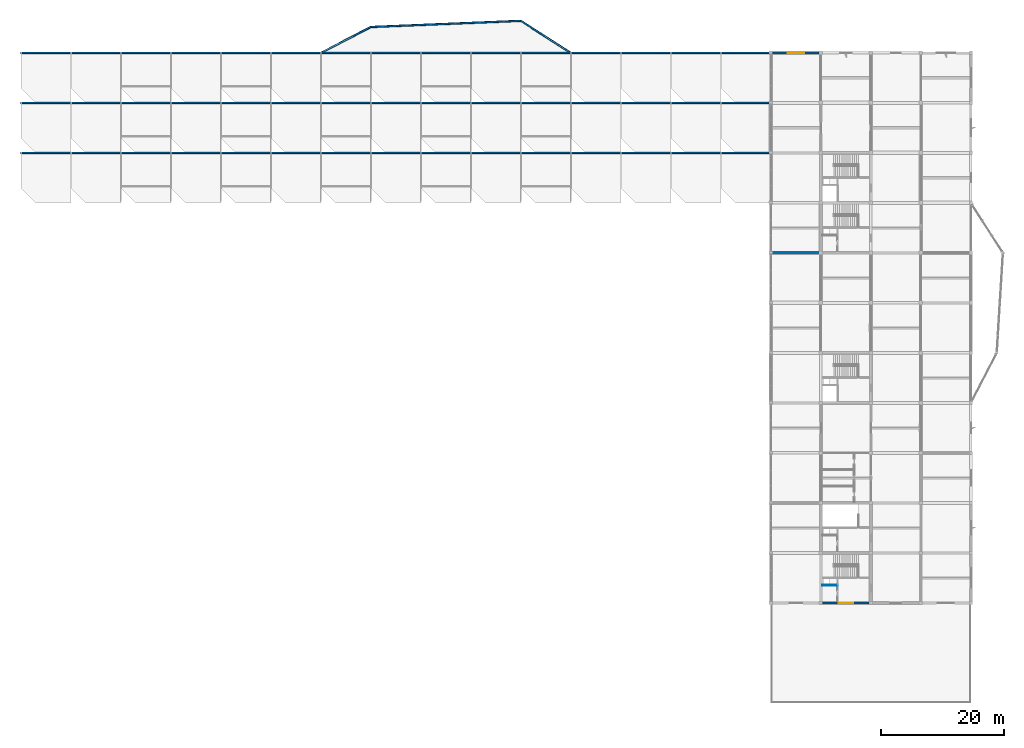
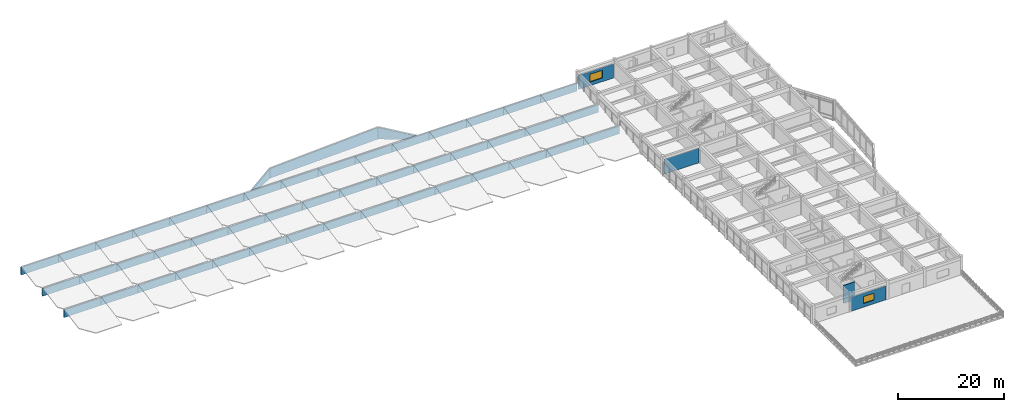
# One storey, part 26 of 33: 52 walls, 2 windows, 2 openings.
"""IFC4 building model written with IfcOpenShell, lengths in metres."""

from ifc_helpers import new_model, si_unit, direction, frame, frame_2d, origin, place, context, subcontext, project, spatial, polyline, rectangle, outline, extrude, material, layer, layer_set, type_object, element, fill, save


model = new_model("IFC4")

# Units and contexts
model_context = context("Model", 3, precision=1e-05, world=origin(), true_north=direction((0.0, 1.0)))
body_context = subcontext(model_context, "Body", "Model", "MODEL_VIEW")
ifc_project = project(units=[si_unit("LENGTHUNIT", "METRE"), si_unit("AREAUNIT", "SQUARE_METRE"), si_unit("VOLUMEUNIT", "CUBIC_METRE"), si_unit("PLANEANGLEUNIT", "RADIAN"), si_unit("MASSUNIT", "GRAM", prefix="KILO")], contexts=[model_context])

# Site, building, storey
site_placement = place(None, origin())
site = spatial("IfcSite", under=ifc_project, at=site_placement, CompositionType="ELEMENT")
building_placement = place(site_placement, origin())
building = spatial("IfcBuilding", under=site, at=building_placement, Name="Vaudrelin Polytechnic", CompositionType="ELEMENT")
storey_placement = place(building_placement, frame((0.0, 0.0, 27.3701171875)))
storey = spatial("IfcBuildingStorey", under=building, at=storey_placement, Name="L06", CompositionType="ELEMENT", Elevation=27.3701171875)

# Walls
ifc_material_1 = material(Name="Precast concrete 35 MPa with standing-seam zinc rainscreen", Category="concrete")
ifc_layer_1 = layer(ifc_material_1, 0.260009765625)
ifc_layer_set_1 = layer_set([ifc_layer_1], Name="Precast concrete 35 MPa with standing-seam zinc rainscreen")
wall_type_1 = type_object("IfcWallType", Name="WAL-EW-CLER260", PredefinedType="STANDARD", material=ifc_layer_set_1)
wall_1_placement = place(storey_placement, frame((16.205078125, 105.300048828125, -0.260009765625), z_axis=(0.0, 0.0, 1.0), x_axis=(1.0, 0.0, 0.0)))
element("IfcWall", 1, at=wall_1_placement, inside=storey, type_object=wall_type_1, Name="Sawtooth monitor clerestory wall 2-12", PredefinedType="STANDARD", context=body_context, shape_type="SweptSolid", body=[
    extrude(rectangle(XDim=8.08984375, YDim=0.260009765625, at=frame_2d((4.044921875, 0.0))), origin(), (0.0, 0.0, 1.0), 1.7509765625),
])
for number, where, z_axis, x_axis, name in (
    (2, (24.304931640625, 105.300048828125, -0.260009765625), (0.0, 0.0, 1.0), (1.0, 0.0, 0.0), "Sawtooth monitor clerestory wall 3-12"),
    (3, (32.405029296875, 105.300048828125, -0.260009765625), (0.0, 0.0, 1.0), (1.0, 0.0, 0.0), "Sawtooth monitor clerestory wall 4-12"),
    (4, (40.5048828125, 105.300048828125, -0.260009765625), (0.0, 0.0, 1.0), (1.0, 0.0, 0.0), "Sawtooth monitor clerestory wall 5-12"),
    (5, (48.60498046875, 105.300048828125, -0.260009765625), (0.0, 0.0, 1.0), (1.0, 0.0, 0.0), "Sawtooth monitor clerestory wall 6-12"),
):
    element("IfcWall", number, at=place(storey_placement, frame(where, z_axis=z_axis, x_axis=x_axis)), inside=storey, type_object=wall_type_1, Name=name, PredefinedType="STANDARD", context=body_context, shape_type="SweptSolid", body=[
        extrude(rectangle(XDim=8.090087890625, YDim=0.260009765625, at=frame_2d((4.044921875, 0.0))), origin(), (0.0, 0.0, 1.0), 1.7509765625),
    ])
wall_2_placement = place(storey_placement, frame((56.705078125, 105.300048828125, -0.260009765625), z_axis=(0.0, 0.0, 1.0), x_axis=(1.0, 0.0, 0.0)))
element("IfcWall", 6, at=wall_2_placement, inside=storey, type_object=wall_type_1, Name="Sawtooth monitor clerestory wall 7-12", PredefinedType="STANDARD", context=body_context, shape_type="SweptSolid", body=[
    extrude(rectangle(XDim=8.08984375, YDim=0.260009765625, at=frame_2d((4.044921875, 0.0))), origin(), (0.0, 0.0, 1.0), 1.7509765625),
])
for number, where, z_axis, x_axis, name in (
    (7, (64.804931640625, 105.300048828125, -0.260009765625), (0.0, 0.0, 1.0), (1.0, 0.0, 0.0), "Sawtooth monitor clerestory wall 8-12"),
    (8, (72.905029296875, 105.300048828125, -0.260009765625), (0.0, 0.0, 1.0), (1.0, 0.0, 0.0), "Sawtooth monitor clerestory wall 9-12"),
    (9, (81.0048828125, 105.300048828125, -0.260009765625), (0.0, 0.0, 1.0), (1.0, 0.0, 0.0), "Sawtooth monitor clerestory wall 10-12"),
    (10, (89.10498046875, 105.300048828125, -0.260009765625), (0.0, 0.0, 1.0), (1.0, 0.0, 0.0), "Sawtooth monitor clerestory wall 11-12"),
):
    element("IfcWall", number, at=place(storey_placement, frame(where, z_axis=z_axis, x_axis=x_axis)), inside=storey, type_object=wall_type_1, Name=name, PredefinedType="STANDARD", context=body_context, shape_type="SweptSolid", body=[
        extrude(rectangle(XDim=8.090087890625, YDim=0.260009765625, at=frame_2d((4.044921875, 0.0))), origin(), (0.0, 0.0, 1.0), 1.7509765625),
    ])
wall_3_placement = place(storey_placement, frame((97.205078125, 105.300048828125, -0.260009765625), z_axis=(0.0, 0.0, 1.0), x_axis=(1.0, 0.0, 0.0)))
element("IfcWall", 11, at=wall_3_placement, inside=storey, type_object=wall_type_1, Name="Sawtooth monitor clerestory wall 12-12", PredefinedType="STANDARD", context=body_context, shape_type="SweptSolid", body=[
    extrude(rectangle(XDim=8.08984375, YDim=0.260009765625, at=frame_2d((4.044921875, 0.0))), origin(), (0.0, 0.0, 1.0), 1.7509765625),
])
for number, where, z_axis, x_axis, name in (
    (12, (105.304931640625, 105.300048828125, -0.260009765625), (0.0, 0.0, 1.0), (1.0, 0.0, 0.0), "Sawtooth monitor clerestory wall 13-12"),
    (13, (113.405029296875, 105.300048828125, -0.260009765625), (0.0, 0.0, 1.0), (1.0, 0.0, 0.0), "Sawtooth monitor clerestory wall 14-12"),
    (14, (121.5048828125, 105.300048828125, -0.260009765625), (0.0, 0.0, 1.0), (1.0, 0.0, 0.0), "Sawtooth monitor clerestory wall 15-12"),
):
    element("IfcWall", number, at=place(storey_placement, frame(where, z_axis=z_axis, x_axis=x_axis)), inside=storey, type_object=wall_type_1, Name=name, PredefinedType="STANDARD", context=body_context, shape_type="SweptSolid", body=[
        extrude(rectangle(XDim=8.090087890625, YDim=0.260009765625, at=frame_2d((4.044921875, 0.0))), origin(), (0.0, 0.0, 1.0), 1.7509765625),
    ])
wall_4_placement = place(storey_placement, frame((129.60498046875, 105.300048828125, -0.260009765625), z_axis=(0.0, 0.0, 1.0), x_axis=(1.0, 0.0, 0.0)))
element("IfcWall", 15, at=wall_4_placement, inside=storey, type_object=wall_type_1, Name="Sawtooth monitor clerestory wall 16-12", PredefinedType="STANDARD", context=body_context, shape_type="SweptSolid", body=[
    extrude(rectangle(XDim=7.93505859375, YDim=0.260009765625, at=frame_2d((3.967529296875, 0.0))), origin(), (0.0, 0.0, 1.0), 1.7509765625),
])
wall_5_placement = place(storey_placement, frame((16.205078125, 113.39990234375, -0.260009765625), z_axis=(0.0, 0.0, 1.0), x_axis=(1.0, 0.0, 0.0)))
element("IfcWall", 16, at=wall_5_placement, inside=storey, type_object=wall_type_1, Name="Sawtooth monitor clerestory wall 2-13", PredefinedType="STANDARD", context=body_context, shape_type="SweptSolid", body=[
    extrude(rectangle(XDim=8.08984375, YDim=0.260009765625, at=frame_2d((4.044921875, 0.0))), origin(), (0.0, 0.0, 1.0), 1.7509765625),
])
for number, where, z_axis, x_axis, name in (
    (17, (24.304931640625, 113.39990234375, -0.260009765625), (0.0, 0.0, 1.0), (1.0, 0.0, 0.0), "Sawtooth monitor clerestory wall 3-13"),
    (18, (32.405029296875, 113.39990234375, -0.260009765625), (0.0, 0.0, 1.0), (1.0, 0.0, 0.0), "Sawtooth monitor clerestory wall 4-13"),
    (19, (40.5048828125, 113.39990234375, -0.260009765625), (0.0, 0.0, 1.0), (1.0, 0.0, 0.0), "Sawtooth monitor clerestory wall 5-13"),
    (20, (48.60498046875, 113.39990234375, -0.260009765625), (0.0, 0.0, 1.0), (1.0, 0.0, 0.0), "Sawtooth monitor clerestory wall 6-13"),
):
    element("IfcWall", number, at=place(storey_placement, frame(where, z_axis=z_axis, x_axis=x_axis)), inside=storey, type_object=wall_type_1, Name=name, PredefinedType="STANDARD", context=body_context, shape_type="SweptSolid", body=[
        extrude(rectangle(XDim=8.090087890625, YDim=0.260009765625, at=frame_2d((4.044921875, 0.0))), origin(), (0.0, 0.0, 1.0), 1.7509765625),
    ])
wall_6_placement = place(storey_placement, frame((56.705078125, 113.39990234375, -0.260009765625), z_axis=(0.0, 0.0, 1.0), x_axis=(1.0, 0.0, 0.0)))
element("IfcWall", 21, at=wall_6_placement, inside=storey, type_object=wall_type_1, Name="Sawtooth monitor clerestory wall 7-13", PredefinedType="STANDARD", context=body_context, shape_type="SweptSolid", body=[
    extrude(rectangle(XDim=8.08984375, YDim=0.260009765625, at=frame_2d((4.044921875, 0.0))), origin(), (0.0, 0.0, 1.0), 1.7509765625),
])
for number, where, z_axis, x_axis, name in (
    (22, (64.804931640625, 113.39990234375, -0.260009765625), (0.0, 0.0, 1.0), (1.0, 0.0, 0.0), "Sawtooth monitor clerestory wall 8-13"),
    (23, (72.905029296875, 113.39990234375, -0.260009765625), (0.0, 0.0, 1.0), (1.0, 0.0, 0.0), "Sawtooth monitor clerestory wall 9-13"),
    (24, (81.0048828125, 113.39990234375, -0.260009765625), (0.0, 0.0, 1.0), (1.0, 0.0, 0.0), "Sawtooth monitor clerestory wall 10-13"),
    (25, (89.10498046875, 113.39990234375, -0.260009765625), (0.0, 0.0, 1.0), (1.0, 0.0, 0.0), "Sawtooth monitor clerestory wall 11-13"),
):
    element("IfcWall", number, at=place(storey_placement, frame(where, z_axis=z_axis, x_axis=x_axis)), inside=storey, type_object=wall_type_1, Name=name, PredefinedType="STANDARD", context=body_context, shape_type="SweptSolid", body=[
        extrude(rectangle(XDim=8.090087890625, YDim=0.260009765625, at=frame_2d((4.044921875, 0.0))), origin(), (0.0, 0.0, 1.0), 1.7509765625),
    ])
wall_7_placement = place(storey_placement, frame((97.205078125, 113.39990234375, -0.260009765625), z_axis=(0.0, 0.0, 1.0), x_axis=(1.0, 0.0, 0.0)))
element("IfcWall", 26, at=wall_7_placement, inside=storey, type_object=wall_type_1, Name="Sawtooth monitor clerestory wall 12-13", PredefinedType="STANDARD", context=body_context, shape_type="SweptSolid", body=[
    extrude(rectangle(XDim=8.08984375, YDim=0.260009765625, at=frame_2d((4.044921875, 0.0))), origin(), (0.0, 0.0, 1.0), 1.7509765625),
])
for number, where, z_axis, x_axis, name in (
    (27, (105.304931640625, 113.39990234375, -0.260009765625), (0.0, 0.0, 1.0), (1.0, 0.0, 0.0), "Sawtooth monitor clerestory wall 13-13"),
    (28, (113.405029296875, 113.39990234375, -0.260009765625), (0.0, 0.0, 1.0), (1.0, 0.0, 0.0), "Sawtooth monitor clerestory wall 14-13"),
    (29, (121.5048828125, 113.39990234375, -0.260009765625), (0.0, 0.0, 1.0), (1.0, 0.0, 0.0), "Sawtooth monitor clerestory wall 15-13"),
):
    element("IfcWall", number, at=place(storey_placement, frame(where, z_axis=z_axis, x_axis=x_axis)), inside=storey, type_object=wall_type_1, Name=name, PredefinedType="STANDARD", context=body_context, shape_type="SweptSolid", body=[
        extrude(rectangle(XDim=8.090087890625, YDim=0.260009765625, at=frame_2d((4.044921875, 0.0))), origin(), (0.0, 0.0, 1.0), 1.7509765625),
    ])
wall_8_placement = place(storey_placement, frame((129.60498046875, 113.39990234375, -0.260009765625), z_axis=(0.0, 0.0, 1.0), x_axis=(1.0, 0.0, 0.0)))
element("IfcWall", 30, at=wall_8_placement, inside=storey, type_object=wall_type_1, Name="Sawtooth monitor clerestory wall 16-13", PredefinedType="STANDARD", context=body_context, shape_type="SweptSolid", body=[
    extrude(rectangle(XDim=7.93505859375, YDim=0.260009765625, at=frame_2d((3.967529296875, 0.0))), origin(), (0.0, 0.0, 1.0), 1.7509765625),
])
wall_9_placement = place(storey_placement, frame((16.205078125, 121.5, -0.260009765625), z_axis=(0.0, 0.0, 1.0), x_axis=(1.0, 0.0, 0.0)))
element("IfcWall", 31, at=wall_9_placement, inside=storey, type_object=wall_type_1, Name="Sawtooth monitor clerestory wall 2-14", PredefinedType="STANDARD", context=body_context, shape_type="SweptSolid", body=[
    extrude(rectangle(XDim=8.08984375, YDim=0.260009765625, at=frame_2d((4.044921875, 0.0))), origin(), (0.0, 0.0, 1.0), 1.7509765625),
])
for number, where, z_axis, x_axis, name in (
    (32, (24.304931640625, 121.5, -0.260009765625), (0.0, 0.0, 1.0), (1.0, 0.0, 0.0), "Sawtooth monitor clerestory wall 3-14"),
    (33, (32.405029296875, 121.5, -0.260009765625), (0.0, 0.0, 1.0), (1.0, 0.0, 0.0), "Sawtooth monitor clerestory wall 4-14"),
    (34, (40.5048828125, 121.5, -0.260009765625), (0.0, 0.0, 1.0), (1.0, 0.0, 0.0), "Sawtooth monitor clerestory wall 5-14"),
    (35, (48.60498046875, 121.5, -0.260009765625), (0.0, 0.0, 1.0), (1.0, 0.0, 0.0), "Sawtooth monitor clerestory wall 6-14"),
):
    element("IfcWall", number, at=place(storey_placement, frame(where, z_axis=z_axis, x_axis=x_axis)), inside=storey, type_object=wall_type_1, Name=name, PredefinedType="STANDARD", context=body_context, shape_type="SweptSolid", body=[
        extrude(rectangle(XDim=8.090087890625, YDim=0.260009765625, at=frame_2d((4.044921875, 0.0))), origin(), (0.0, 0.0, 1.0), 1.7509765625),
    ])
wall_10_placement = place(storey_placement, frame((56.705078125, 121.5, -0.260009765625), z_axis=(0.0, 0.0, 1.0), x_axis=(1.0, 0.0, 0.0)))
element("IfcWall", 36, at=wall_10_placement, inside=storey, type_object=wall_type_1, Name="Sawtooth monitor clerestory wall 7-14", PredefinedType="STANDARD", context=body_context, shape_type="SweptSolid", body=[
    extrude(rectangle(XDim=8.08984375, YDim=0.260009765625, at=frame_2d((4.044921875, 0.0))), origin(), (0.0, 0.0, 1.0), 1.7509765625),
])
for number, where, z_axis, x_axis, name in (
    (37, (64.804931640625, 121.5, -0.260009765625), (0.0, 0.0, 1.0), (1.0, 0.0, 0.0), "Sawtooth monitor clerestory wall 8-14"),
    (38, (72.905029296875, 121.5, -0.260009765625), (0.0, 0.0, 1.0), (1.0, 0.0, 0.0), "Sawtooth monitor clerestory wall 9-14"),
    (39, (81.0048828125, 121.5, -0.260009765625), (0.0, 0.0, 1.0), (1.0, 0.0, 0.0), "Sawtooth monitor clerestory wall 10-14"),
    (40, (89.10498046875, 121.5, -0.260009765625), (0.0, 0.0, 1.0), (1.0, 0.0, 0.0), "Sawtooth monitor clerestory wall 11-14"),
):
    element("IfcWall", number, at=place(storey_placement, frame(where, z_axis=z_axis, x_axis=x_axis)), inside=storey, type_object=wall_type_1, Name=name, PredefinedType="STANDARD", context=body_context, shape_type="SweptSolid", body=[
        extrude(rectangle(XDim=8.090087890625, YDim=0.260009765625, at=frame_2d((4.044921875, 0.0))), origin(), (0.0, 0.0, 1.0), 1.7509765625),
    ])
wall_11_placement = place(storey_placement, frame((97.205078125, 121.5, -0.260009765625), z_axis=(0.0, 0.0, 1.0), x_axis=(1.0, 0.0, 0.0)))
element("IfcWall", 41, at=wall_11_placement, inside=storey, type_object=wall_type_1, Name="Sawtooth monitor clerestory wall 12-14", PredefinedType="STANDARD", context=body_context, shape_type="SweptSolid", body=[
    extrude(rectangle(XDim=8.08984375, YDim=0.260009765625, at=frame_2d((4.044921875, 0.0))), origin(), (0.0, 0.0, 1.0), 1.7509765625),
])
for number, where, z_axis, x_axis, name in (
    (42, (105.304931640625, 121.5, -0.260009765625), (0.0, 0.0, 1.0), (1.0, 0.0, 0.0), "Sawtooth monitor clerestory wall 13-14"),
    (43, (113.405029296875, 121.5, -0.260009765625), (0.0, 0.0, 1.0), (1.0, 0.0, 0.0), "Sawtooth monitor clerestory wall 14-14"),
    (44, (121.5048828125, 121.5, -0.260009765625), (0.0, 0.0, 1.0), (1.0, 0.0, 0.0), "Sawtooth monitor clerestory wall 15-14"),
):
    element("IfcWall", number, at=place(storey_placement, frame(where, z_axis=z_axis, x_axis=x_axis)), inside=storey, type_object=wall_type_1, Name=name, PredefinedType="STANDARD", context=body_context, shape_type="SweptSolid", body=[
        extrude(rectangle(XDim=8.090087890625, YDim=0.260009765625, at=frame_2d((4.044921875, 0.0))), origin(), (0.0, 0.0, 1.0), 1.7509765625),
    ])
wall_12_placement = place(storey_placement, frame((129.60498046875, 121.5, -0.260009765625), z_axis=(0.0, 0.0, 1.0), x_axis=(1.0, 0.0, 0.0)))
element("IfcWall", 45, at=wall_12_placement, inside=storey, type_object=wall_type_1, Name="Sawtooth monitor clerestory wall 16-14", PredefinedType="STANDARD", context=body_context, shape_type="SweptSolid", body=[
    extrude(rectangle(XDim=7.93505859375, YDim=0.260009765625, at=frame_2d((3.967529296875, 0.0))), origin(), (0.0, 0.0, 1.0), 1.7509765625),
])
wall_13_placement = place(storey_placement, frame((64.81787109375, 121.50927734375, -0.35009765625), z_axis=(0.0, 0.0, 1.0), x_axis=(0.887745582255, 0.460334423204, 0.0)))
element("IfcWall", 46, at=wall_13_placement, inside=storey, type_object=wall_type_1, Name="Deconstructivist pod clerestory N_OR2-1", PredefinedType="STANDARD", context=body_context, shape_type="SweptSolid", body=[
    extrude(outline(polyline([(0.0, 0.0), (9.083984375, 0.0), (9.083984375, 2.2177734375), (0.0, 0.35986328125), (0.0, 0.0)])), frame((0.0, 0.1298828125, 0.0), z_axis=(0.0, -1.0, 0.0), x_axis=(1.0, 0.0, 0.0)), (0.0, 0.0, 1.0), 0.260009765625),
])
wall_14_placement = place(storey_placement, frame((72.919921875, 125.70068359375, -0.35009765625), z_axis=(0.0, 0.0, 1.0), x_axis=(0.999154013566, 0.041124897257, 0.0)))
element("IfcWall", 47, at=wall_14_placement, inside=storey, type_object=wall_type_1, Name="Deconstructivist pod clerestory N_OR2-2", PredefinedType="STANDARD", context=body_context, shape_type="SweptSolid", body=[
    extrude(outline(polyline([(0.0, 0.0), (24.280517578125, 0.0), (24.280517578125, 2.659912109375), (0.0, 2.2177734375), (0.0, 0.0)])), frame((0.0, 0.1298828125, 0.0), z_axis=(0.0, -1.0, 0.0), x_axis=(1.0, 0.0, 0.0)), (0.0, 0.0, 1.0), 0.260009765625),
])
wall_15_placement = place(storey_placement, frame((97.216796875, 126.689208984375, -0.35009765625), z_axis=(0.0, 0.0, 1.0), x_axis=(0.841514290547, -0.54023485523, 0.0)))
element("IfcWall", 48, at=wall_15_placement, inside=storey, type_object=wall_type_1, Name="Deconstructivist pod clerestory N_OR2-3", PredefinedType="STANDARD", context=body_context, shape_type="SweptSolid", body=[
    extrude(outline(polyline([(0.0, 0.0), (9.585693359375, 0.0), (9.58544921875, 0.35986328125), (0.0, 2.659912109375), (0.0, 0.0)])), frame((0.0, 0.1298828125, 0.0), z_axis=(0.0, -1.0, 0.0), x_axis=(1.0, 0.0, 0.0)), (0.0, 0.0, 1.0), 0.260009765625),
])

# Wall, opening, window
ifc_material_2 = material(Name="Precast concrete 35 MPa with terracotta baguette screen", Category="masonry")
ifc_layer_2 = layer(ifc_material_2, 0.35009765625)
ifc_layer_set_2 = layer_set([ifc_layer_2], Name="Precast concrete 35 MPa with terracotta baguette screen")
wall_type_2 = type_object("IfcWallType", Name="WAL-EW-TERR350", PredefinedType="STANDARD", material=ifc_layer_set_2)
wall_16_placement = place(storey_placement, frame((137.972900390625, 121.5, 0.0), z_axis=(0.0, 0.0, 1.0), x_axis=(1.0, 0.0, 0.0)))
wall_16 = element("IfcWall", 49, at=wall_16_placement, inside=storey, type_object=wall_type_2, Name="Exterior wall L06 N_V4_00", PredefinedType="STANDARD", context=body_context, shape_type="SweptSolid", body=[
    extrude(rectangle(XDim=7.55419921875, YDim=0.35009765625, at=frame_2d((3.777099609375, 0.0))), origin(), (0.0, 0.0, 1.0), 3.2119140625),
])
opening_1_placement = place(wall_16_placement, frame((2.451904296875, 0.0, 0.85009765625)))
opening_1 = element("IfcOpeningElement", 50, at=opening_1_placement, cuts=wall_16, Name="Opening W-L06-N-V4-01", PredefinedType="OPENING", context=body_context, shape_type="SweptSolid", body=[
    extrude(rectangle(XDim=2.64990234375, YDim=1.800048828125, at=frame_2d((1.324951171875, 0.89990234375))), frame((0.0, 0.18505859375, 0.0), z_axis=(0.0, -1.0, 0.0), x_axis=(1.0, 0.0, 0.0)), (0.0, 0.0, 1.0), 0.3701171875),
])
ifc_material_3 = material(Name="Thermally broken aluminium frame with triple low-e glazing", Category="aluminium")
window_type_1 = type_object("IfcWindowType", Name="WIN-WN-32", PartitioningType="SINGLE_PANEL", PredefinedType="WINDOW", material=ifc_material_3)
window_1_placement = place(opening_1_placement, origin())
window_1 = element("IfcWindow", 51, at=window_1_placement, inside=storey, type_object=window_type_1, Name="Facade window L06-N_V4_00", OverallHeight=1.800048828125, OverallWidth=2.64990234375, PartitioningType="SINGLE_PANEL", PredefinedType="WINDOW", context=body_context, shape_type="SweptSolid", body=[
    extrude(rectangle(XDim=2.64990234375, YDim=1.800048828125, at=frame_2d((1.324951171875, 0.89990234375))), frame((0.0, 0.030029296875, 0.0), z_axis=(0.0, -1.0, 0.0), x_axis=(1.0, 0.0, 0.0)), (0.0, 0.0, 1.0), 0.06005859375),
])
fill(opening_1, window_1)

wall_17_placement = place(storey_placement, frame((146.072998046875, 32.39990234375, 0.0), z_axis=(0.0, 0.0, 1.0), x_axis=(1.0, 0.0, 0.0)))
wall_17 = element("IfcWall", 52, at=wall_17_placement, inside=storey, type_object=wall_type_2, Name="Exterior wall L06 S_V4_01", PredefinedType="STANDARD", context=body_context, shape_type="SweptSolid", body=[
    extrude(rectangle(XDim=7.553955078125, YDim=0.35009765625, at=frame_2d((3.77685546875, 0.0))), origin(), (0.0, 0.0, 1.0), 3.2119140625),
])
opening_2_placement = place(wall_17_placement, frame((2.626953125, 0.0, 0.85009765625)))
opening_2 = element("IfcOpeningElement", 53, at=opening_2_placement, cuts=wall_17, Name="Opening W-L06-S-V4-02", PredefinedType="OPENING", context=body_context, shape_type="SweptSolid", body=[
    extrude(rectangle(XDim=2.300048828125, YDim=1.60009765625, at=frame_2d((1.14990234375, 0.800048828125))), frame((0.0, 0.18505859375, 0.0), z_axis=(0.0, -1.0, 0.0), x_axis=(1.0, 0.0, 0.0)), (0.0, 0.0, 1.0), 0.3701171875),
])
window_type_2 = type_object("IfcWindowType", Name="WIN-WN-44", PartitioningType="SINGLE_PANEL", PredefinedType="WINDOW", material=ifc_material_3)
window_2_placement = place(opening_2_placement, origin())
window_2 = element("IfcWindow", 54, at=window_2_placement, inside=storey, type_object=window_type_2, Name="Facade window L06-S_V4_01", OverallHeight=1.60009765625, OverallWidth=2.300048828125, PartitioningType="SINGLE_PANEL", PredefinedType="WINDOW", context=body_context, shape_type="SweptSolid", body=[
    extrude(rectangle(XDim=2.300048828125, YDim=1.60009765625, at=frame_2d((1.14990234375, 0.800048828125))), frame((0.0, 0.030029296875, 0.0), z_axis=(0.0, -1.0, 0.0), x_axis=(1.0, 0.0, 0.0)), (0.0, 0.0, 1.0), 0.06005859375),
])
fill(opening_2, window_2)

# Walls
ifc_material_4 = material(Name="Fire-rated steel-stud gypsum compartment wall", Category="steel")
ifc_layer_3 = layer(ifc_material_4, 0.14990234375)
ifc_layer_set_3 = layer_set([ifc_layer_3], Name="Fire-rated steel-stud gypsum compartment wall")
wall_type_3 = type_object("IfcWallType", Name="WAL-PW-FIRE60", PredefinedType="PARTITIONING", material=ifc_layer_set_3)
wall_18_placement = place(storey_placement, frame((146.02001953125, 35.25, 0.0), z_axis=(0.0, 0.0, 1.0), x_axis=(1.0, 0.0, 0.0)))
element("IfcWall", 55, at=wall_18_placement, inside=storey, type_object=wall_type_3, Name="Core C8 riser south fire wall L06", PredefinedType="PARTITIONING", context=body_context, shape_type="SweptSolid", body=[
    extrude(rectangle(XDim=2.530029296875, YDim=0.14990234375, at=frame_2d((1.26513671875, 0.0))), origin(), (0.0, 0.0, 1.0), 4.161865234375),
])
ifc_material_5 = material(Name="Moisture- and chemical-resistant laboratory partition", Category="gypsum")
ifc_layer_4 = layer(ifc_material_5, 0.159912109375)
ifc_layer_set_4 = layer_set([ifc_layer_4], Name="Moisture- and chemical-resistant laboratory partition")
wall_type_4 = type_object("IfcWallType", Name="WAL-PW-LAB160", PredefinedType="PARTITIONING", material=ifc_layer_set_4)
wall_19_placement = place(storey_placement, frame((137.972900390625, 89.10009765625, 0.0), z_axis=(0.0, 0.0, 1.0), x_axis=(1.0, 0.0, 0.0)))
element("IfcWall", 56, at=wall_19_placement, inside=storey, type_object=wall_type_4, Name="Partition L06-002 N", PredefinedType="PARTITIONING", context=body_context, shape_type="SweptSolid", body=[
    extrude(rectangle(XDim=7.55419921875, YDim=0.159912109375, at=frame_2d((3.777099609375, 0.0))), origin(), (0.0, 0.0, 1.0), 3.411865234375),
])

save(model, "model.ifc")
